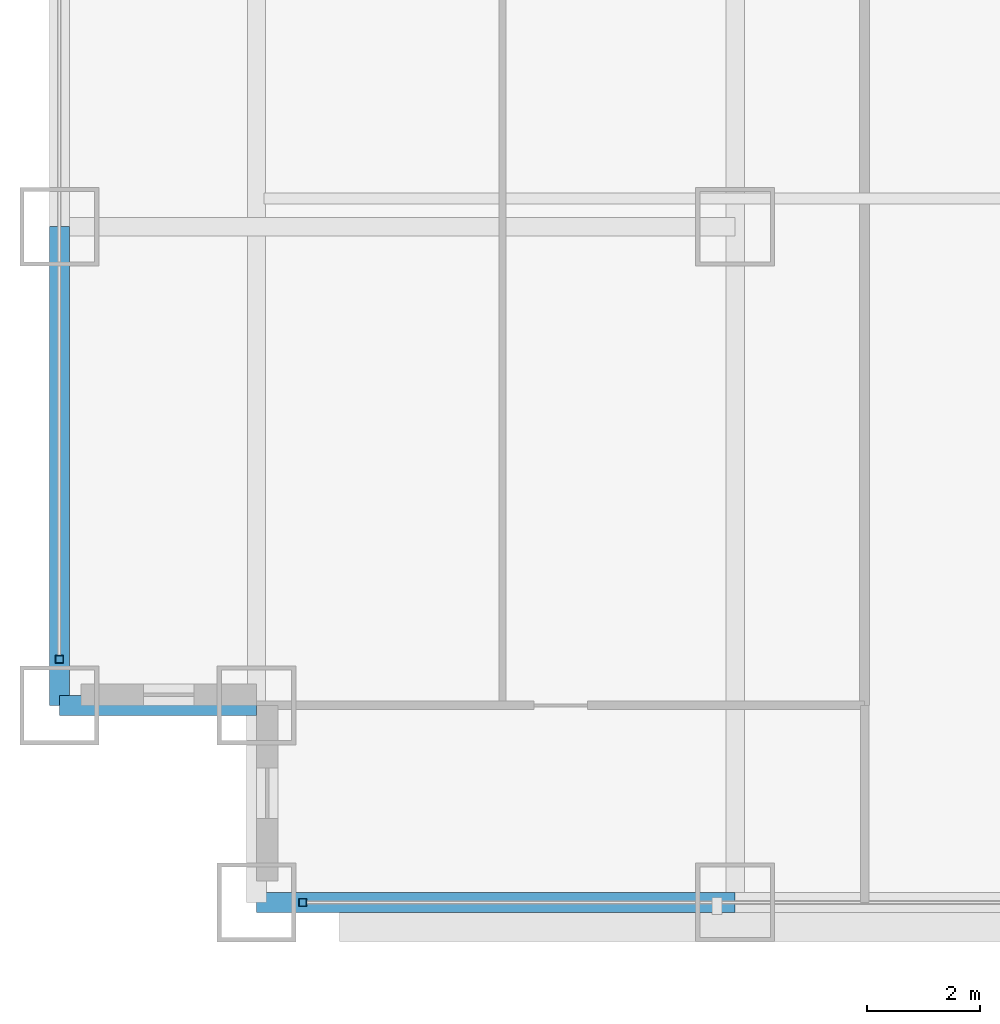
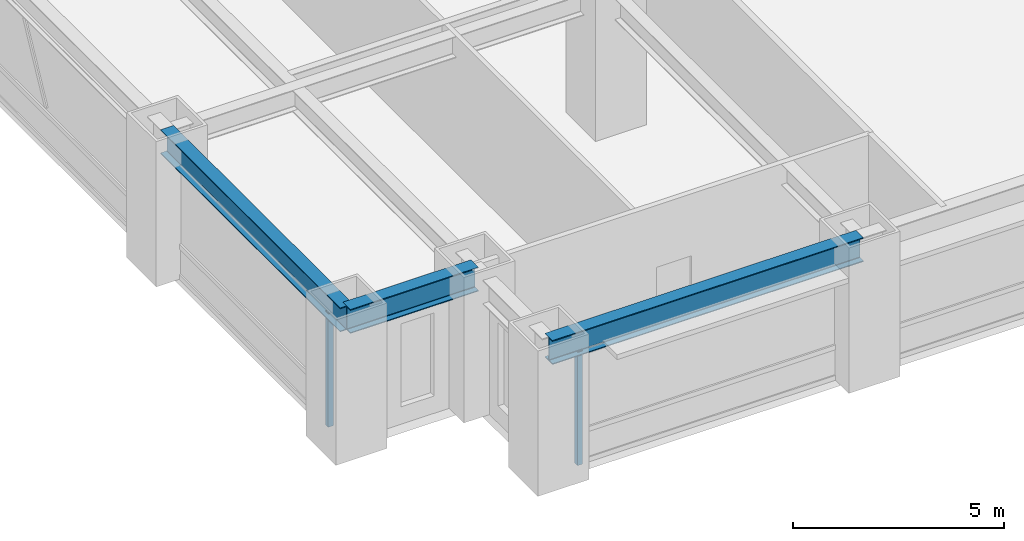
# One storey, part 2 of 32: 3 beams, 2 members, 2 elements without a shape of their own.
"""IFC4 building model written with IfcOpenShell, lengths in metres."""

from ifc_helpers import new_model, si_unit, direction, frame, origin, origin_2d, place, context, subcontext, project, spatial, hollow_rectangle, i_section, extrude, source, transform, mapped, material, material_profile, profile_set, type_object, element, aggregate, save


model = new_model("IFC4")

# Units and contexts
model_context = context("Model", 3, precision=1e-05, world=origin(), true_north=direction((0.0, 1.0)))
body_context = subcontext(model_context, "Body", "Model", "MODEL_VIEW")
ifc_project = project(units=[si_unit("LENGTHUNIT", "METRE"), si_unit("AREAUNIT", "SQUARE_METRE"), si_unit("VOLUMEUNIT", "CUBIC_METRE"), si_unit("PLANEANGLEUNIT", "RADIAN"), si_unit("MASSUNIT", "GRAM", prefix="KILO")], contexts=[model_context])

# Site, building, storey
site_placement = place(None, origin())
site = spatial("IfcSite", under=ifc_project, at=site_placement, CompositionType="ELEMENT")
building_placement = place(site_placement, origin())
building = spatial("IfcBuilding", under=site, at=building_placement, Name="Khorayat Bourse Tower", CompositionType="ELEMENT")
storey_placement = place(building_placement, frame((0.0, 0.0, 78.800048828125)))
storey = spatial("IfcBuildingStorey", under=building, at=storey_placement, Name="L17", CompositionType="ELEMENT", Elevation=78.800048828125)

# Beams
ifc_material_1 = material(Name="Steel ASTM A992 Grade 50", Category="steel")
ifc_material_profile_1 = material_profile(ifc_material_1, i_section(OverallWidth=0.35498046875, OverallDepth=0.695068359375, WebThickness=0.015380859375, FlangeThickness=0.02490234375, FilletRadius=0.01806640625, at=origin_2d()), Name="W690X217")
ifc_profile_set_1 = profile_set([ifc_material_profile_1], Name="Steel ASTM A992 Grade 50")
beam_type = type_object("IfcBeamType", Name="BM-SPAN-690", PredefinedType="SPANDREL", material=ifc_profile_set_1)
shared_shape_1 = source(origin(), body_context, "Body", "SweptSolid", [
    extrude(i_section(OverallWidth=0.35498046875, OverallDepth=0.695068359375, WebThickness=0.015380859375, FlangeThickness=0.02490234375, FilletRadius=0.01806640625, at=origin_2d()), origin(), (0.0, 0.0, 1.0), 8.5),
])
for number, where, z_axis, x_axis, name in (
    (1, (-28.5, -32.0, 3.592529296875), (1.0, 0.0, 0.0), (0.0, 1.0, 0.0), "L17 BM-SPAN-690 BM-L17-SPN-024"),
    (2, (-32.0, -28.5, 3.592529296875), (0.0, 1.0, 0.0), (-1.0, 0.0, 0.0), "L17 BM-SPAN-690 BM-L17-SPN-061"),
):
    element("IfcBeam", number, at=place(storey_placement, frame(where, z_axis=z_axis, x_axis=x_axis)), inside=storey, type_object=beam_type, Name=name, PredefinedType="SPANDREL", context=body_context, shape_type="MappedRepresentation", body=[
        mapped(shared_shape_1, transform((0.0, 0.0, 0.0), scale=1.0)),
    ])
shared_shape_2 = source(origin(), body_context, "Body", "SweptSolid", [
    extrude(i_section(OverallWidth=0.35498046875, OverallDepth=0.695068359375, WebThickness=0.015380859375, FlangeThickness=0.02490234375, FilletRadius=0.01806640625, at=origin_2d()), origin(), (0.0, 0.0, 1.0), 3.5),
])
beam_placement = place(storey_placement, frame((-32.0, -28.5, 3.592529296875), z_axis=(1.0, 0.0, 0.0), x_axis=(0.0, 1.0, 0.0)))
element("IfcBeam", 3, at=beam_placement, inside=storey, type_object=beam_type, Name="L17 BM-SPAN-690 BM-L17-SPN-062", PredefinedType="SPANDREL", context=body_context, shape_type="MappedRepresentation", body=[
    mapped(shared_shape_2, transform((0.0, 0.0, 0.0), scale=1.0)),
])

# Curtain wall, member
ifc_material_2 = material(Name="Aluminium EN AW-6063 T6", Category="aluminium")
curtain_wall_type = type_object("IfcCurtainWallType", Name="CW-SYS-02", PredefinedType="NOTDEFINED", material=ifc_material_2)
curtain_wall_1_placement = place(storey_placement, origin())
curtain_wall_1 = element("IfcCurtainWall", 4, at=curtain_wall_1_placement, inside=storey, type_object=curtain_wall_type, Name="L17 Curtain Wall CW-L17-S1", PredefinedType="NOTDEFINED")
ifc_material_profile_2 = material_profile(ifc_material_2, hollow_rectangle(XDim=0.139892578125, YDim=0.139892578125, WallThickness=0.006103515625, at=origin_2d()), Name="ALU 140x140x6")
ifc_profile_set_2 = profile_set([ifc_material_profile_2], Name="Aluminium EN AW-6063 T6")
member_type = type_object("IfcMemberType", Name="CWM-VERT-140", PredefinedType="MULLION", material=ifc_profile_set_2)
shared_shape_3 = source(origin(), body_context, "Body", "SweptSolid", [
    extrude(hollow_rectangle(XDim=0.139892578125, YDim=0.139892578125, WallThickness=0.006103515625, at=origin_2d()), origin(), (0.0, 0.0, 1.0), 3.2900390625),
])
member_1_placement = place(storey_placement, frame((-27.679931640625, -32.0, 0.0), z_axis=(0.0, 0.0, 1.0), x_axis=(0.0, 1.0, 0.0)))
member_1 = element("IfcMember", 5, at=member_1_placement, type_object=member_type, Name="CW-L17-S1 Vertical Mullion 1", PredefinedType="MULLION", context=body_context, shape_type="MappedRepresentation", body=[
    mapped(shared_shape_3, transform((0.0, 0.0, 0.0), scale=1.0)),
])
aggregate(curtain_wall_1, [member_1])

curtain_wall_2_placement = place(storey_placement, origin())
curtain_wall_2 = element("IfcCurtainWall", 6, at=curtain_wall_2_placement, inside=storey, type_object=curtain_wall_type, Name="L17 Curtain Wall CW-L17-W1", PredefinedType="NOTDEFINED")
member_2_placement = place(storey_placement, frame((-32.0, -27.679931640625, 0.0), z_axis=(0.0, 0.0, 1.0), x_axis=(-1.0, 0.0, 0.0)))
member_2 = element("IfcMember", 7, at=member_2_placement, type_object=member_type, Name="CW-L17-W1 Vertical Mullion 1", PredefinedType="MULLION", context=body_context, shape_type="MappedRepresentation", body=[
    mapped(shared_shape_3, transform((0.0, 0.0, 0.0), scale=1.0)),
])
aggregate(curtain_wall_2, [member_2])

save(model, "model.ifc")
